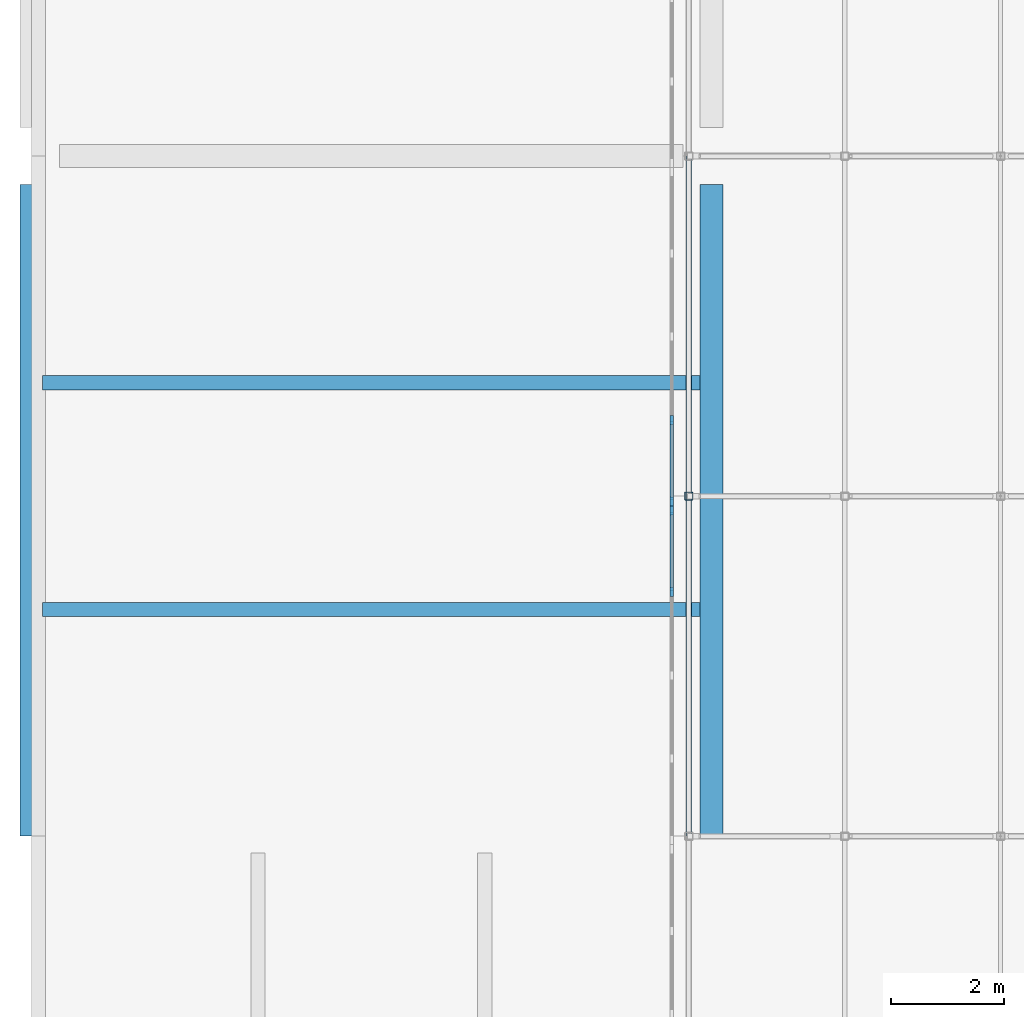
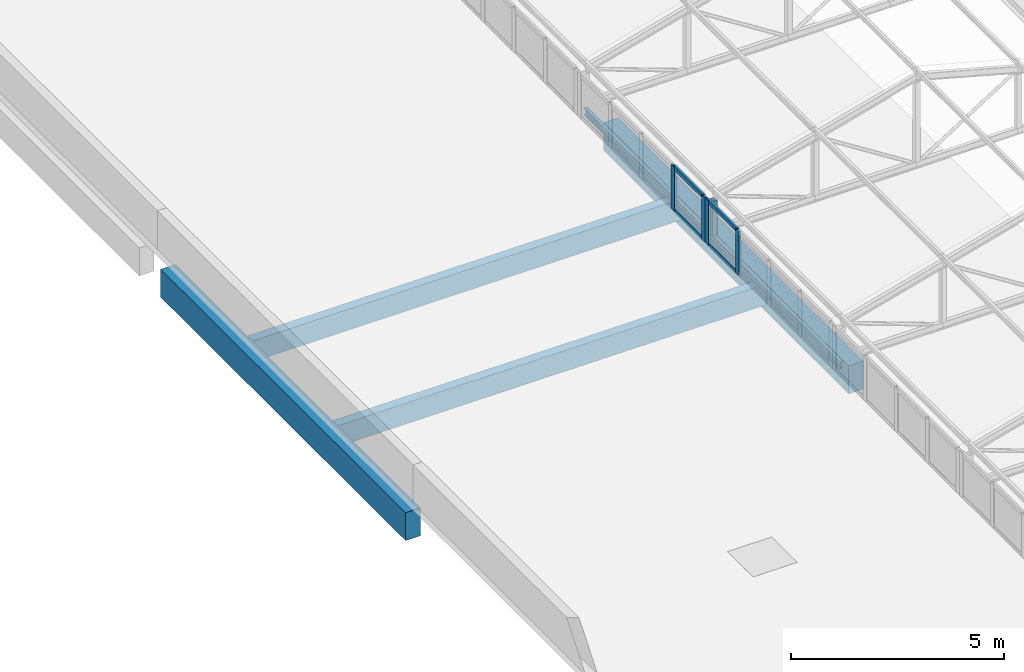
# One storey, part 42 of 94: 9 members, 5 beams, 2 elements without a shape of their own.
"""IFC4 building model written with IfcOpenShell, lengths in metres."""

from ifc_helpers import new_model, si_unit, direction, frame, origin, origin_2d, place, context, subcontext, project, spatial, rectangle, hollow_rectangle, i_section, extrude, material, layer, layer_set, material_profile, profile_set, type_object, element, aggregate, save


model = new_model("IFC4")

# Units and contexts
model_context = context("Model", 3, precision=1e-05, world=origin(), true_north=direction((0.0, 1.0)))
body_context = subcontext(model_context, "Body", "Model", "MODEL_VIEW")
ifc_project = project(units=[si_unit("LENGTHUNIT", "METRE"), si_unit("AREAUNIT", "SQUARE_METRE"), si_unit("VOLUMEUNIT", "CUBIC_METRE"), si_unit("PLANEANGLEUNIT", "RADIAN"), si_unit("MASSUNIT", "GRAM", prefix="KILO")], contexts=[model_context])

# Site, building, storey
site_placement = place(None, origin())
site = spatial("IfcSite", under=ifc_project, at=site_placement, CompositionType="ELEMENT")
building_placement = place(site_placement, origin())
building = spatial("IfcBuilding", under=site, at=building_placement, Name="Lilac Gate Convention Centre", CompositionType="ELEMENT")
storey_placement = place(building_placement, frame((0.0, 0.0, 21.0)))
storey = spatial("IfcBuildingStorey", under=building, at=storey_placement, Name="L04", CompositionType="ELEMENT", Elevation=21.0)

# Curtain wall, members
ifc_material_1 = material(Name="Aluminium framed double glazing", Category="aluminium")
ifc_layer = layer(ifc_material_1, 0.199951171875)
ifc_layer_set = layer_set([ifc_layer], Name="Aluminium framed double glazing")
curtain_wall_type = type_object("IfcCurtainWallType", Name="Unitised curtain wall 1500", PredefinedType="NOTDEFINED", material=ifc_layer_set)
curtain_wall_1_placement = place(storey_placement, origin())
curtain_wall_1 = element("IfcCurtainWall", 1, at=curtain_wall_1_placement, inside=storey, type_object=curtain_wall_type, Name="Lantern clerestory W 23", PredefinedType="NOTDEFINED")
ifc_material_2 = material(Name="Aluminium alloy 6063", Category="aluminium")
ifc_material_profile_1 = material_profile(ifc_material_2, rectangle(XDim=0.06005859375, YDim=0.159912109375, at=origin_2d()), Name="Curtain wall mullion 60 x 160")
ifc_profile_set_1 = profile_set([ifc_material_profile_1], Name="Aluminium alloy 6063")
member_type_1 = type_object("IfcMemberType", Name="Curtain wall mullion 60 x 160", PredefinedType="MULLION", material=ifc_profile_set_1)
member_1_placement = place(storey_placement, frame((17.300048828125, 166.30615234375, 0.0), z_axis=(0.0, 0.0, 1.0), x_axis=(-1.0, 0.0, 0.0)))
member_1 = element("IfcMember", 2, at=member_1_placement, type_object=member_type_1, Name="CW mullion 4", PredefinedType="MULLION", context=body_context, shape_type="SweptSolid", body=[
    extrude(rectangle(XDim=0.06005859375, YDim=0.159912109375, at=origin_2d()), origin(), (0.0, 0.0, 1.0), 1.272216796875),
])
member_2_placement = place(storey_placement, frame((17.300048828125, 167.744873046875, 0.0), z_axis=(0.0, 0.0, 1.0), x_axis=(-1.0, 0.0, 0.0)))
member_2 = element("IfcMember", 3, at=member_2_placement, type_object=member_type_1, Name="CW mullion 5", PredefinedType="MULLION", context=body_context, shape_type="SweptSolid", body=[
    extrude(rectangle(XDim=0.06005859375, YDim=0.159912109375, at=origin_2d()), origin(), (0.0, 0.0, 1.0), 1.272216796875),
])

curtain_wall_2_placement = place(storey_placement, origin())
curtain_wall_2 = element("IfcCurtainWall", 4, at=curtain_wall_2_placement, inside=storey, type_object=curtain_wall_type, Name="Lantern clerestory W 24", PredefinedType="NOTDEFINED")
member_3_placement = place(storey_placement, frame((17.300048828125, 167.905029296875, 0.0), z_axis=(0.0, 0.0, 1.0), x_axis=(-1.0, 0.0, 0.0)))
member_3 = element("IfcMember", 5, at=member_3_placement, type_object=member_type_1, Name="CW mullion 1", PredefinedType="MULLION", context=body_context, shape_type="SweptSolid", body=[
    extrude(rectangle(XDim=0.06005859375, YDim=0.159912109375, at=origin_2d()), origin(), (0.0, 0.0, 1.0), 1.272216796875),
])
member_4_placement = place(storey_placement, frame((17.300048828125, 169.34375, 0.0), z_axis=(0.0, 0.0, 1.0), x_axis=(-1.0, 0.0, 0.0)))
member_4 = element("IfcMember", 6, at=member_4_placement, type_object=member_type_1, Name="CW mullion 2", PredefinedType="MULLION", context=body_context, shape_type="SweptSolid", body=[
    extrude(rectangle(XDim=0.06005859375, YDim=0.159912109375, at=origin_2d()), origin(), (0.0, 0.0, 1.0), 1.272216796875),
])

# Member
ifc_material_profile_2 = material_profile(ifc_material_2, rectangle(XDim=0.06005859375, YDim=0.1201171875, at=origin_2d()), Name="Curtain wall transom 60 x 120")
ifc_profile_set_2 = profile_set([ifc_material_profile_2], Name="Aluminium alloy 6063")
member_type_2 = type_object("IfcMemberType", Name="Curtain wall transom 60 x 120", PredefinedType="USERDEFINED", material=ifc_profile_set_2)
member_5_placement = place(storey_placement, frame((17.300048828125, 166.336181640625, 0.030029296875), z_axis=(0.0, 1.0, 0.0), x_axis=(-1.0, 0.0, 0.0)))
member_5 = element("IfcMember", 7, at=member_5_placement, type_object=member_type_2, Name="CW transom 4.1", ObjectType="TRANSOM", PredefinedType="USERDEFINED", context=body_context, shape_type="SweptSolid", body=[
    extrude(rectangle(XDim=0.06005859375, YDim=0.1201171875, at=origin_2d()), origin(), (0.0, 0.0, 1.0), 1.378662109375),
])

member_6_placement = place(storey_placement, frame((17.300048828125, 166.336181640625, 1.2421875), z_axis=(0.0, 1.0, 0.0), x_axis=(-1.0, 0.0, 0.0)))
member_6 = element("IfcMember", 8, at=member_6_placement, type_object=member_type_2, Name="CW transom 4.2", ObjectType="TRANSOM", PredefinedType="USERDEFINED", context=body_context, shape_type="SweptSolid", body=[
    extrude(rectangle(XDim=0.06005859375, YDim=0.1201171875, at=origin_2d()), origin(), (0.0, 0.0, 1.0), 1.378662109375),
])

aggregate(curtain_wall_1, [member_1, member_2, member_5, member_6])

member_7_placement = place(storey_placement, frame((17.300048828125, 167.93505859375, 0.030029296875), z_axis=(0.0, 1.0, 0.0), x_axis=(-1.0, 0.0, 0.0)))
member_7 = element("IfcMember", 9, at=member_7_placement, type_object=member_type_2, Name="CW transom 1.1", ObjectType="TRANSOM", PredefinedType="USERDEFINED", context=body_context, shape_type="SweptSolid", body=[
    extrude(rectangle(XDim=0.06005859375, YDim=0.1201171875, at=origin_2d()), origin(), (0.0, 0.0, 1.0), 1.378662109375),
])

member_8_placement = place(storey_placement, frame((17.300048828125, 167.93505859375, 1.2421875), z_axis=(0.0, 1.0, 0.0), x_axis=(-1.0, 0.0, 0.0)))
member_8 = element("IfcMember", 10, at=member_8_placement, type_object=member_type_2, Name="CW transom 1.2", ObjectType="TRANSOM", PredefinedType="USERDEFINED", context=body_context, shape_type="SweptSolid", body=[
    extrude(rectangle(XDim=0.06005859375, YDim=0.1201171875, at=origin_2d()), origin(), (0.0, 0.0, 1.0), 1.378662109375),
])

aggregate(curtain_wall_2, [member_3, member_4, member_7, member_8])

ifc_material_3 = material(Name="Steel Q355B", Category="steel")
ifc_material_profile_3 = material_profile(ifc_material_3, hollow_rectangle(XDim=0.139892578125, YDim=0.139892578125, WallThickness=0.0048828125, InnerFilletRadius=0.0048828125, OuterFilletRadius=0.010009765625, at=origin_2d()), Name="SHS140x140x5")
ifc_profile_set_3 = profile_set([ifc_material_profile_3], Name="Steel Q355B")
member_type_3 = type_object("IfcMemberType", Name="Lantern post SHS140x140x5", PredefinedType="STRUT", material=ifc_profile_set_3)
member_9_placement = place(storey_placement, frame((17.60009765625, 168.0, 0.0), z_axis=(0.0, 0.0, 1.0), x_axis=(1.0, 0.0, 0.0)))
element("IfcMember", 11, at=member_9_placement, inside=storey, type_object=member_type_3, Name="LV1 lantern truss 24 post 1", PredefinedType="STRUT", context=body_context, shape_type="SweptSolid", body=[
    extrude(hollow_rectangle(XDim=0.139892578125, YDim=0.139892578125, WallThickness=0.0048828125, InnerFilletRadius=0.0048828125, OuterFilletRadius=0.010009765625, at=origin_2d()), origin(), (0.0, 0.0, 1.0), 1.001953125),
])

# Beams
ifc_material_profile_4 = material_profile(ifc_material_3, i_section(OverallWidth=0.10009765625, OverallDepth=0.199951171875, WebThickness=0.005615234375, FlangeThickness=0.008056640625, FilletRadius=0.008056640625, at=origin_2d()), Name="HN200x100x5.5x8")
ifc_profile_set_4 = profile_set([ifc_material_profile_4], Name="Steel Q355B")
beam_type_1 = type_object("IfcBeamType", Name="Steel edge beam HN200x100x5.5x8", PredefinedType="BEAM", material=ifc_profile_set_4)
beam_placement = place(storey_placement, frame((17.60009765625, 162.0, -0.10009765625), z_axis=(0.0, 1.0, 0.0), x_axis=(-1.0, 0.0, 0.0)))
element("IfcBeam", 12, at=beam_placement, inside=storey, type_object=beam_type_1, Name="LE2 lantern west edge beam 12", PredefinedType="BEAM", context=body_context, shape_type="SweptSolid", body=[
    extrude(i_section(OverallWidth=0.10009765625, OverallDepth=0.199951171875, WebThickness=0.005615234375, FlangeThickness=0.008056640625, FilletRadius=0.008056640625, at=origin_2d()), origin(), (0.0, 0.0, 1.0), 12.0),
])
ifc_material_4 = material(Name="Concrete C40", Category="concrete")
ifc_material_profile_5 = material_profile(ifc_material_4, rectangle(XDim=0.39990234375, YDim=0.800048828125, at=origin_2d()), Name="RC 400x800")
ifc_profile_set_5 = profile_set([ifc_material_profile_5], Name="Concrete C40")
beam_type_2 = type_object("IfcBeamType", Name="Tower primary beam 400x800 C40", PredefinedType="BEAM", material=ifc_profile_set_5)
for number, where, z_axis, x_axis, name in (
    (13, (6.0, 162.0, -0.60009765625), (0.0, 1.0, 0.0), (-1.0, 0.0, 0.0), "RB3 L04 1/M-1/N"),
    (14, (18.0, 162.0, -0.60009765625), (0.0, 1.0, 0.0), (-1.0, 0.0, 0.0), "RB3 L04 2/M-2/N"),
):
    element("IfcBeam", number, at=place(storey_placement, frame(where, z_axis=z_axis, x_axis=x_axis)), inside=storey, type_object=beam_type_2, Name=name, PredefinedType="BEAM", context=body_context, shape_type="SweptSolid", body=[
        extrude(rectangle(XDim=0.39990234375, YDim=0.800048828125, at=origin_2d()), origin(), (0.0, 0.0, 1.0), 11.5),
    ])
ifc_material_profile_6 = material_profile(ifc_material_4, rectangle(XDim=0.25, YDim=0.60009765625, at=origin_2d()), Name="RC 250x600")
ifc_profile_set_6 = profile_set([ifc_material_profile_6], Name="Concrete C40")
beam_type_3 = type_object("IfcBeamType", Name="Tower secondary beam 250x600 C40", PredefinedType="BEAM", material=ifc_profile_set_6)
for number, where, z_axis, x_axis, name in (
    (15, (6.199951171875, 166.0, -0.5), (1.0, 0.0, 0.0), (0.0, 1.0, 0.0), "RB4 L04 bay 1/M"),
    (16, (6.199951171875, 170.0, -0.5), (1.0, 0.0, 0.0), (0.0, 1.0, 0.0), "RB4 L04 bay 1/M"),
):
    element("IfcBeam", number, at=place(storey_placement, frame(where, z_axis=z_axis, x_axis=x_axis)), inside=storey, type_object=beam_type_3, Name=name, PredefinedType="BEAM", context=body_context, shape_type="SweptSolid", body=[
        extrude(rectangle(XDim=0.25, YDim=0.60009765625, at=origin_2d()), origin(), (0.0, 0.0, 1.0), 11.60009765625),
    ])

save(model, "model.ifc")
